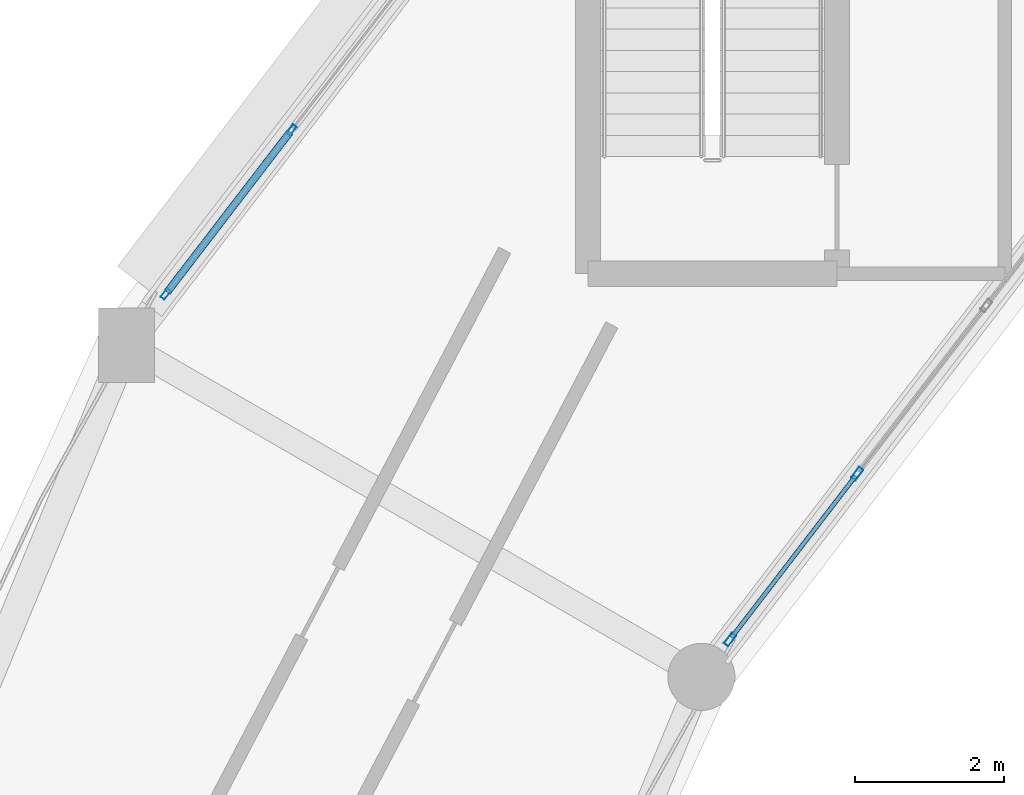
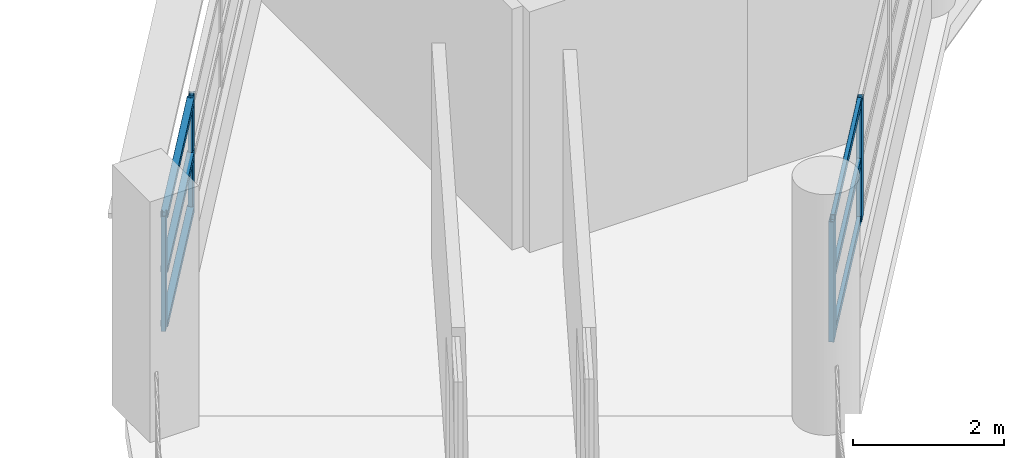
# One storey, part 40 of 121: 10 members, 2 elements without a shape of their own.
"""IFC4 building model written with IfcOpenShell, lengths in metres."""

from ifc_helpers import new_model, si_unit, direction, frame, origin, origin_2d, place, context, subcontext, project, spatial, hollow_rectangle, extrude, material, layer, layer_set, material_profile, profile_set, type_object, element, aggregate, save


model = new_model("IFC4")

# Units and contexts
model_context = context("Model", 3, precision=1e-05, world=origin(), true_north=direction((0.0, 1.0)))
body_context = subcontext(model_context, "Body", "Model", "MODEL_VIEW")
ifc_project = project(units=[si_unit("LENGTHUNIT", "METRE"), si_unit("AREAUNIT", "SQUARE_METRE"), si_unit("VOLUMEUNIT", "CUBIC_METRE"), si_unit("PLANEANGLEUNIT", "RADIAN"), si_unit("MASSUNIT", "GRAM", prefix="KILO")], contexts=[model_context])

# Site, building, storey
site_placement = place(None, origin())
site = spatial("IfcSite", under=ifc_project, at=site_placement, CompositionType="ELEMENT")
building_placement = place(site_placement, origin())
building = spatial("IfcBuilding", under=site, at=building_placement, Name="Vespera Passage Community Centre", CompositionType="ELEMENT")
storey_placement = place(building_placement, frame((0.0, 0.0, 8.699951171875)))
storey = spatial("IfcBuildingStorey", under=building, at=storey_placement, Name="L02", CompositionType="ELEMENT", Elevation=8.699951171875)

# Curtain wall, members
ifc_material_1 = material(Name="Anodized aluminium 6063-T6", Category="aluminium")
ifc_layer_1 = layer(ifc_material_1, 0.159912109375)
ifc_layer_set_1 = layer_set([ifc_layer_1], Name="Anodized aluminium 6063-T6")
curtain_wall_type_1 = type_object("IfcCurtainWallType", Name="CW-31E", PredefinedType="NOTDEFINED", material=ifc_layer_set_1)
curtain_wall_1_placement = place(storey_placement, origin())
curtain_wall_1 = element("IfcCurtainWall", 1, at=curtain_wall_1_placement, inside=storey, type_object=curtain_wall_type_1, Name="V4 L02 Outer Ribbon Curtain Wall 9", PredefinedType="NOTDEFINED")
ifc_material_2 = material(Name="Anodized aluminium 6063-T6", Category="aluminium")
ifc_material_profile_1 = material_profile(ifc_material_2, hollow_rectangle(XDim=0.06494140625, YDim=0.14990234375, WallThickness=0.00390625, InnerFilletRadius=0.001953125, OuterFilletRadius=0.00390625, at=origin_2d()), Name="ALU150X65X4")
ifc_profile_set_1 = profile_set([ifc_material_profile_1], Name="Anodized aluminium 6063-T6")
member_type_1 = type_object("IfcMemberType", Name="MB-CWM-150E", PredefinedType="MULLION", material=ifc_profile_set_1)
member_1_placement = place(storey_placement, frame((38.601806640625, 89.235107421875, 0.820068359375), z_axis=(0.0, 0.0, 1.0), x_axis=(-0.793350429062, 0.608765222978, 0.0)))
member_1 = element("IfcMember", 2, at=member_1_placement, type_object=member_type_1, Name="CW-31E mullion 1", PredefinedType="MULLION", context=body_context, shape_type="SweptSolid", body=[
    extrude(hollow_rectangle(XDim=0.06494140625, YDim=0.14990234375, WallThickness=0.00390625, InnerFilletRadius=0.001953125, OuterFilletRadius=0.00390625, at=origin_2d()), origin(), (0.0, 0.0, 1.0), 1.865478515625),
])
member_2_placement = place(storey_placement, frame((40.287109375, 91.431396484375, 0.820068359375), z_axis=(0.0, 0.0, 1.0), x_axis=(-0.793350429062, 0.608765222978, 0.0)))
member_2 = element("IfcMember", 3, at=member_2_placement, type_object=member_type_1, Name="CW-31E mullion 2", PredefinedType="MULLION", context=body_context, shape_type="SweptSolid", body=[
    extrude(hollow_rectangle(XDim=0.06494140625, YDim=0.14990234375, WallThickness=0.00390625, InnerFilletRadius=0.001953125, OuterFilletRadius=0.00390625, at=origin_2d()), origin(), (0.0, 0.0, 1.0), 1.865478515625),
])

ifc_material_3 = material(Name="Anodized aluminium 6063-T6", Category="aluminium")
ifc_layer_2 = layer(ifc_material_3, 0.159912109375)
ifc_layer_set_2 = layer_set([ifc_layer_2], Name="Anodized aluminium 6063-T6")
curtain_wall_type_2 = type_object("IfcCurtainWallType", Name="CW-32E", PredefinedType="NOTDEFINED", material=ifc_layer_set_2)
curtain_wall_2_placement = place(storey_placement, origin())
curtain_wall_2 = element("IfcCurtainWall", 4, at=curtain_wall_2_placement, inside=storey, type_object=curtain_wall_type_2, Name="V4 L02 Inner Court Curtain Wall 9", PredefinedType="NOTDEFINED")
ifc_material_4 = material(Name="Anodized aluminium 6063-T6", Category="aluminium")
ifc_material_profile_2 = material_profile(ifc_material_4, hollow_rectangle(XDim=0.074951171875, YDim=0.179931640625, WallThickness=0.0048828125, InnerFilletRadius=0.00244140625, OuterFilletRadius=0.0048828125, at=origin_2d()), Name="ALU180X75X5")
ifc_profile_set_2 = profile_set([ifc_material_profile_2], Name="Anodized aluminium 6063-T6")
member_type_2 = type_object("IfcMemberType", Name="MB-CWM-180E", PredefinedType="MULLION", material=ifc_profile_set_2)
member_3_placement = place(storey_placement, frame((47.874755859375, 86.824951171875, 0.820068359375), z_axis=(0.0, 0.0, 1.0), x_axis=(0.793358205999, -0.608755087843, 0.0)))
member_3 = element("IfcMember", 5, at=member_3_placement, type_object=member_type_2, Name="CW-32E mullion 3", PredefinedType="MULLION", context=body_context, shape_type="SweptSolid", body=[
    extrude(hollow_rectangle(XDim=0.074951171875, YDim=0.179931640625, WallThickness=0.0048828125, InnerFilletRadius=0.00244140625, OuterFilletRadius=0.0048828125, at=origin_2d()), origin(), (0.0, 0.0, 1.0), 1.949462890625),
])
member_4_placement = place(storey_placement, frame((46.167724609375, 84.600341796875, 0.820068359375), z_axis=(0.0, 0.0, 1.0), x_axis=(0.793358205999, -0.608755087843, 0.0)))
member_4 = element("IfcMember", 6, at=member_4_placement, type_object=member_type_2, Name="CW-32E mullion 4", PredefinedType="MULLION", context=body_context, shape_type="SweptSolid", body=[
    extrude(hollow_rectangle(XDim=0.074951171875, YDim=0.179931640625, WallThickness=0.0048828125, InnerFilletRadius=0.00244140625, OuterFilletRadius=0.0048828125, at=origin_2d()), origin(), (0.0, 0.0, 1.0), 1.949462890625),
])

# Member
ifc_material_5 = material(Name="Anodized aluminium 6063-T6", Category="aluminium")
ifc_material_profile_3 = material_profile(ifc_material_5, hollow_rectangle(XDim=0.10009765625, YDim=0.10009765625, WallThickness=0.00390625, InnerFilletRadius=0.001953125, OuterFilletRadius=0.00390625, at=origin_2d()), Name="ALU100X100X4")
ifc_profile_set_3 = profile_set([ifc_material_profile_3], Name="Anodized aluminium 6063-T6")
member_type_3 = type_object("IfcMemberType", Name="MB-CWT-100E", PredefinedType="USERDEFINED", material=ifc_profile_set_3)
member_5_placement = place(storey_placement, frame((38.62158203125, 89.260986328125, 0.8701171875), z_axis=(0.608806888702, 0.793318455772, 0.0), x_axis=(-0.793318455772, 0.608806888702, 0.0)))
member_5 = element("IfcMember", 7, at=member_5_placement, type_object=member_type_3, Name="CW-31E transom 1.1", ObjectType="TRANSOM", PredefinedType="USERDEFINED", context=body_context, shape_type="SweptSolid", body=[
    extrude(hollow_rectangle(XDim=0.10009765625, YDim=0.10009765625, WallThickness=0.00390625, InnerFilletRadius=0.001953125, OuterFilletRadius=0.00390625, at=origin_2d()), origin(), (0.0, 0.0, 1.0), 2.703125),
])

member_6_placement = place(storey_placement, frame((38.62158203125, 89.260986328125, 1.7529296875), z_axis=(0.608806888702, 0.793318455772, 0.0), x_axis=(-0.793318455772, 0.608806888702, 0.0)))
member_6 = element("IfcMember", 8, at=member_6_placement, type_object=member_type_3, Name="CW-31E transom 1.2", ObjectType="TRANSOM", PredefinedType="USERDEFINED", context=body_context, shape_type="SweptSolid", body=[
    extrude(hollow_rectangle(XDim=0.10009765625, YDim=0.10009765625, WallThickness=0.00390625, InnerFilletRadius=0.001953125, OuterFilletRadius=0.00390625, at=origin_2d()), origin(), (0.0, 0.0, 1.0), 2.703125),
])

member_7_placement = place(storey_placement, frame((38.62158203125, 89.260986328125, 2.6357421875), z_axis=(0.608806888702, 0.793318455772, 0.0), x_axis=(-0.793318455772, 0.608806888702, 0.0)))
member_7 = element("IfcMember", 9, at=member_7_placement, type_object=member_type_3, Name="CW-31E transom 1.3", ObjectType="TRANSOM", PredefinedType="USERDEFINED", context=body_context, shape_type="SweptSolid", body=[
    extrude(hollow_rectangle(XDim=0.10009765625, YDim=0.10009765625, WallThickness=0.00390625, InnerFilletRadius=0.001953125, OuterFilletRadius=0.00390625, at=origin_2d()), origin(), (0.0, 0.0, 1.0), 2.703125),
])

aggregate(curtain_wall_1, [member_1, member_2, member_5, member_6, member_7])

ifc_material_6 = material(Name="Anodized aluminium 6063-T6", Category="aluminium")
ifc_material_profile_4 = material_profile(ifc_material_6, hollow_rectangle(XDim=0.06005859375, YDim=0.1201171875, WallThickness=0.00390625, InnerFilletRadius=0.001953125, OuterFilletRadius=0.00390625, at=origin_2d()), Name="ALU120X60X4")
ifc_profile_set_4 = profile_set([ifc_material_profile_4], Name="Anodized aluminium 6063-T6")
member_type_4 = type_object("IfcMemberType", Name="MB-CWT-120E", PredefinedType="USERDEFINED", material=ifc_profile_set_4)
member_8_placement = place(storey_placement, frame((47.85205078125, 86.795166015625, 0.85009765625), z_axis=(-0.608780813839, -0.793338465411, 0.0), x_axis=(0.793338465411, -0.608780813839, 0.0)))
member_8 = element("IfcMember", 10, at=member_8_placement, type_object=member_type_4, Name="CW-32E transom 3.1", ObjectType="TRANSOM", PredefinedType="USERDEFINED", context=body_context, shape_type="SweptSolid", body=[
    extrude(hollow_rectangle(XDim=0.06005859375, YDim=0.1201171875, WallThickness=0.00390625, InnerFilletRadius=0.001953125, OuterFilletRadius=0.00390625, at=origin_2d()), origin(), (0.0, 0.0, 1.0), 2.72900390625),
])

member_9_placement = place(storey_placement, frame((47.85205078125, 86.795166015625, 1.794677734375), z_axis=(-0.608780813839, -0.793338465411, 0.0), x_axis=(0.793338465411, -0.608780813839, 0.0)))
member_9 = element("IfcMember", 11, at=member_9_placement, type_object=member_type_4, Name="CW-32E transom 3.2", ObjectType="TRANSOM", PredefinedType="USERDEFINED", context=body_context, shape_type="SweptSolid", body=[
    extrude(hollow_rectangle(XDim=0.06005859375, YDim=0.1201171875, WallThickness=0.00390625, InnerFilletRadius=0.001953125, OuterFilletRadius=0.00390625, at=origin_2d()), origin(), (0.0, 0.0, 1.0), 2.72900390625),
])

member_10_placement = place(storey_placement, frame((47.85205078125, 86.795166015625, 2.739501953125), z_axis=(-0.608780813839, -0.793338465411, 0.0), x_axis=(0.793338465411, -0.608780813839, 0.0)))
member_10 = element("IfcMember", 12, at=member_10_placement, type_object=member_type_4, Name="CW-32E transom 3.3", ObjectType="TRANSOM", PredefinedType="USERDEFINED", context=body_context, shape_type="SweptSolid", body=[
    extrude(hollow_rectangle(XDim=0.06005859375, YDim=0.1201171875, WallThickness=0.00390625, InnerFilletRadius=0.001953125, OuterFilletRadius=0.00390625, at=origin_2d()), origin(), (0.0, 0.0, 1.0), 2.72900390625),
])

aggregate(curtain_wall_2, [member_3, member_4, member_8, member_9, member_10])

save(model, "model.ifc")
